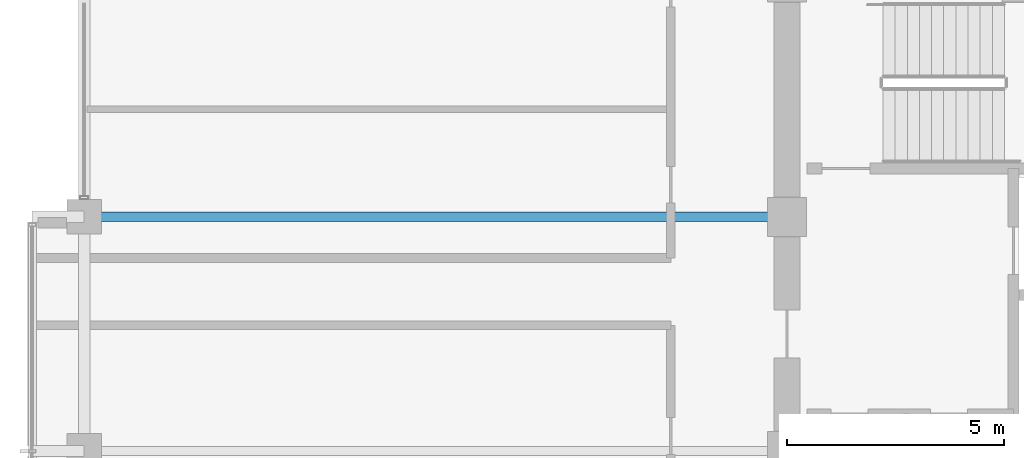
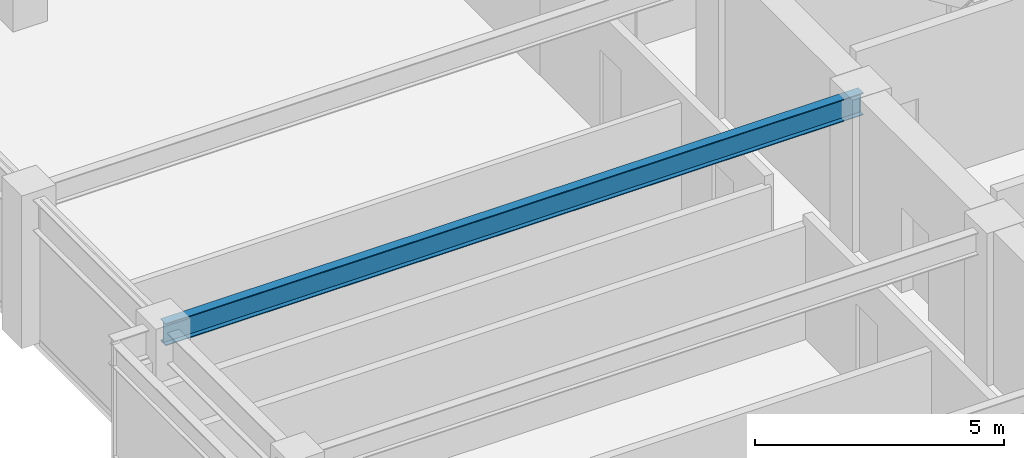
# One storey, part 11 of 32: 1 beam.
"""IFC4 building model written with IfcOpenShell, lengths in metres."""

from ifc_helpers import new_model, si_unit, direction, frame, origin, origin_2d, place, context, subcontext, project, spatial, i_section, extrude, material, material_profile, profile_set, type_object, element, save


model = new_model("IFC4")

# Units and contexts
model_context = context("Model", 3, precision=1e-05, world=origin(), true_north=direction((0.0, 1.0)))
body_context = subcontext(model_context, "Body", "Model", "MODEL_VIEW")
ifc_project = project(units=[si_unit("LENGTHUNIT", "METRE"), si_unit("AREAUNIT", "SQUARE_METRE"), si_unit("VOLUMEUNIT", "CUBIC_METRE"), si_unit("PLANEANGLEUNIT", "RADIAN"), si_unit("MASSUNIT", "GRAM", prefix="KILO")], contexts=[model_context])

# Site, building, storey
site_placement = place(None, origin())
site = spatial("IfcSite", under=ifc_project, at=site_placement, CompositionType="ELEMENT")
building_placement = place(site_placement, origin())
building = spatial("IfcBuilding", under=site, at=building_placement, Name="Surkhivell Harbour Commons", CompositionType="ELEMENT")
storey_placement = place(building_placement, frame((0.0, 0.0, 234.75)))
storey = spatial("IfcBuildingStorey", under=building, at=storey_placement, Name="L61", CompositionType="ELEMENT", Elevation=234.75)

# Beam
ifc_material = material(Name="Steel S355", Category="steel")
ifc_material_profile = material_profile(ifc_material, i_section(OverallWidth=0.2119140625, OverallDepth=0.5439453125, WebThickness=0.0126953125, FlangeThickness=0.021240234375, at=origin_2d()), Name="UB533x210x122")
ifc_profile_set = profile_set([ifc_material_profile], Name="Steel S355")
beam_type = type_object("IfcBeamType", Name="BM-GRD-533A", PredefinedType="BEAM", material=ifc_profile_set)
beam_placement = place(storey_placement, frame((-27.0, 5.39990234375, 3.298095703125), z_axis=(1.0, 0.0, 0.0), x_axis=(0.0, 1.0, 0.0)))
element("IfcBeam", 1, at=beam_placement, inside=storey, type_object=beam_type, Name="L61 Floor Girder (-27.0,5.4)", PredefinedType="BEAM", context=body_context, shape_type="SweptSolid", body=[
    extrude(i_section(OverallWidth=0.2119140625, OverallDepth=0.5439453125, WebThickness=0.0126953125, FlangeThickness=0.021240234375, at=origin_2d()), origin(), (0.0, 0.0, 1.0), 16.199951171875),
])

save(model, "model.ifc")
